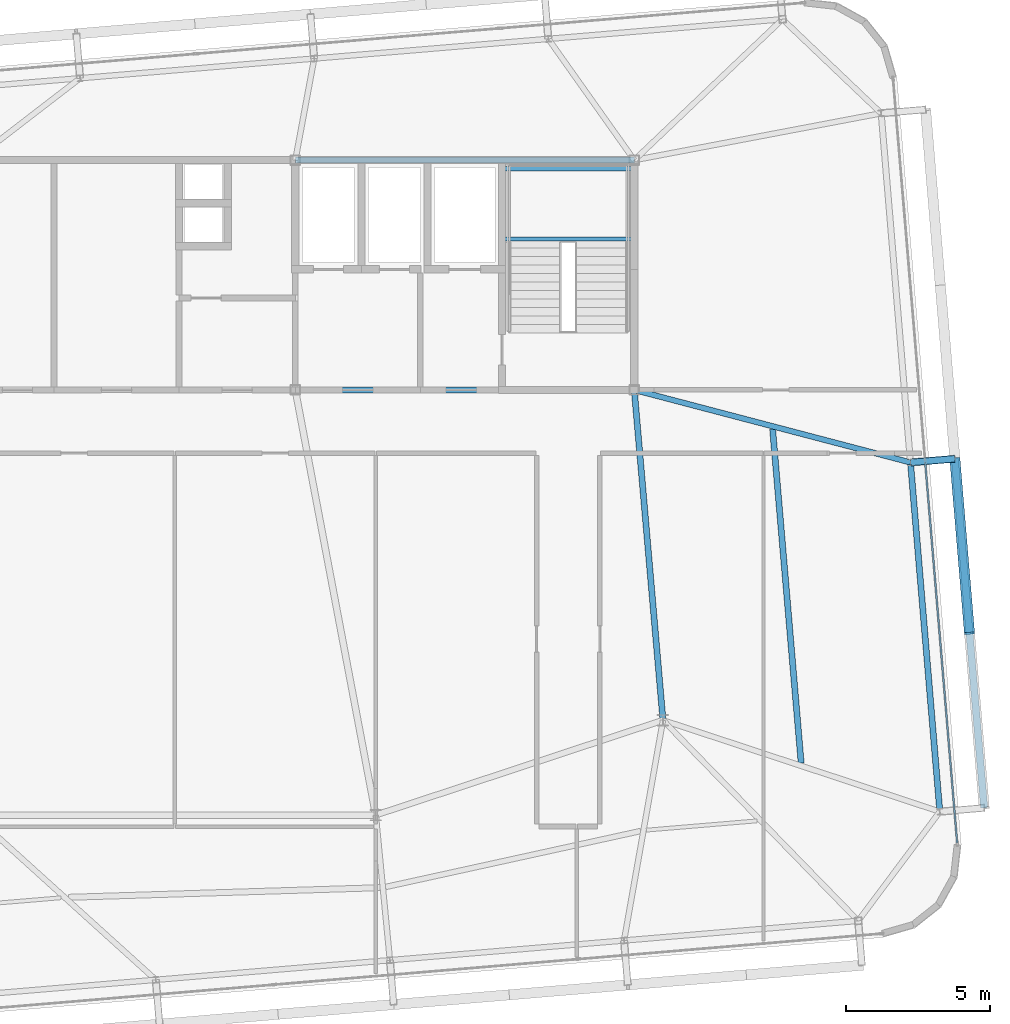
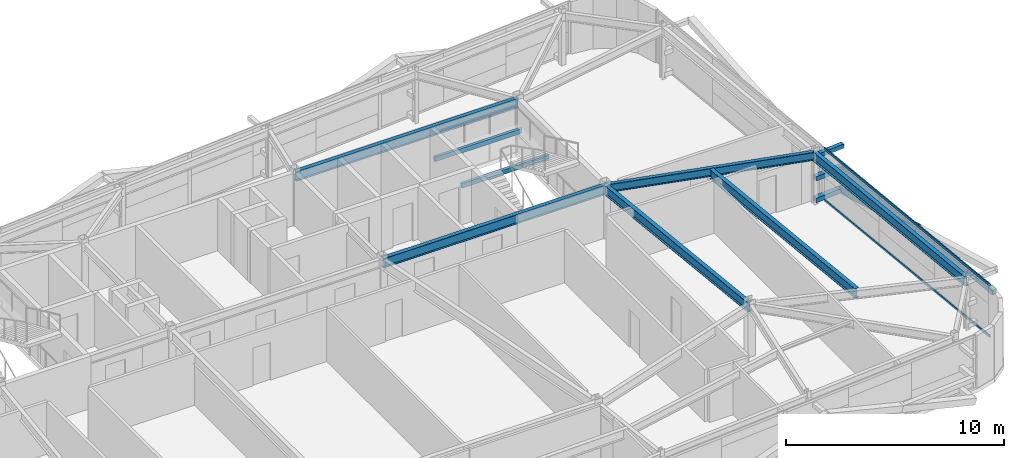
# One storey, part 19 of 39: 8 beams, 7 members, 1 element without a shape of its own.
"""IFC4 building model written with IfcOpenShell, lengths in metres."""

import ifcopenshell
import ifcopenshell.guid

model = None  # the IFC model being written
_history = None  # IfcOwnerHistory: only IFC2X3 demands one
_inside = {}  # id of a spatial element -> (the spatial element, [elements in it])
_under = {}  # id of a project, library or spatial element -> (it, [spatial elements below it])
_declared = {}  # id of a project -> (the project, [libraries it declares])
_typed = {}  # id of a type object -> (the type object, [elements of that type])
_made_of = {}  # id of a material, layer set ... -> (it, [elements and type objects made of it])


def new_model(schema):
    """Start an empty IFC model of exactly this schema.

    Asked for "IFC4X3", IfcOpenShell would pick the latest addendum, in which some entities
    have other attributes; the version numbers below select the first issue.
    IFC2X3 requires an IfcOwnerHistory on every rooted entity: one is made here for all.
    """
    global model, _history
    if schema == "IFC4X3":
        model = ifcopenshell.file(schema_version=(4, 3, 0, 0))
    else:
        model = ifcopenshell.file(schema=schema)
    _inside.clear()
    _under.clear()
    _declared.clear()
    _typed.clear()
    _made_of.clear()
    _history = None
    if model.schema == "IFC2X3":
        org = make("IfcOrganization", Name="unknown")
        user = make(
            "IfcPersonAndOrganization",
            ThePerson=make("IfcPerson", FamilyName="unknown"),
            TheOrganization=org,
        )
        app = make(
            "IfcApplication",
            ApplicationDeveloper=org,
            Version="unknown",
            ApplicationFullName="unknown",
            ApplicationIdentifier="unknown",
        )
        _history = make(
            "IfcOwnerHistory",
            OwningUser=user,
            OwningApplication=app,
            ChangeAction="ADDED",
            CreationDate=0,
        )
    return model


def make(cls, **values):
    """One entity of the class cls with the attributes given. An attribute that is None is left unset."""
    return model.create_entity(
        cls, **{name: value for name, value in values.items() if value is not None}
    )


def rooted(cls, **values):
    """An entity with a GlobalId (a new one), such as an element, a storey or a relation."""
    return make(cls, GlobalId=ifcopenshell.guid.new(), OwnerHistory=_history, **values)


def si_unit(unit_type, name, prefix=None):
    """IfcSIUnit, for example si_unit("LENGTHUNIT", "METRE", prefix="MILLI")."""
    return make("IfcSIUnit", UnitType=unit_type, Prefix=prefix, Name=name)


def assignment(units):
    """IfcUnitAssignment: the units of a project."""
    return None if units is None else make("IfcUnitAssignment", Units=units)


def point(xyz):
    """IfcCartesianPoint."""
    return None if xyz is None else make("IfcCartesianPoint", Coordinates=xyz)


def direction(xyz):
    """IfcDirection."""
    return None if xyz is None else make("IfcDirection", DirectionRatios=xyz)


def frame(location, z_axis=None, x_axis=None):
    """IfcAxis2Placement3D, a coordinate frame: its origin and axes. An axis left out is left unset."""
    return make(
        "IfcAxis2Placement3D",
        Location=point(location),
        Axis=direction(z_axis),
        RefDirection=direction(x_axis),
    )


def frame_2d(location, x_axis=None):
    """IfcAxis2Placement2D, a coordinate frame in the plane: its origin and x axis."""
    return make(
        "IfcAxis2Placement2D", Location=point(location), RefDirection=direction(x_axis)
    )


def origin():
    """The frame at (0, 0, 0) with its axes left unset."""
    return frame((0.0, 0.0, 0.0))


def origin_2d():
    """The frame at (0, 0) in the plane with its x axis left unset."""
    return frame_2d((0.0, 0.0))


def place(relative_to, where):
    """IfcLocalPlacement: puts the frame where relative to a parent placement (None: the world)."""
    return make(
        "IfcLocalPlacement", PlacementRelTo=relative_to, RelativePlacement=where
    )


def context(
    kind, dimensions, precision=None, world=None, true_north=None, identifier=None
):
    """IfcGeometricRepresentationContext, for example the 3D "Model" context."""
    return make(
        "IfcGeometricRepresentationContext",
        ContextIdentifier=identifier,
        ContextType=kind,
        CoordinateSpaceDimension=dimensions,
        Precision=precision,
        WorldCoordinateSystem=world,
        TrueNorth=true_north,
    )


def subcontext(parent, identifier, kind, view, scale=None):
    """IfcGeometricRepresentationSubContext, for example "Body" below "Model"."""
    return make(
        "IfcGeometricRepresentationSubContext",
        ContextIdentifier=identifier,
        ContextType=kind,
        ParentContext=parent,
        TargetScale=scale,
        TargetView=view,
    )


def project(units=None, contexts=None):
    """IfcProject with its units and contexts."""
    return rooted(
        "IfcProject",
        Name="project",
        RepresentationContexts=contexts,
        UnitsInContext=assignment(units),
    )


def spatial(cls, under=None, at=None, **own):
    """A site, building, storey or space (cls), placed at a placement, below another one or the project."""
    s = rooted(cls, ObjectPlacement=at, **own)
    if under is not None:
        _under.setdefault(under.id(), (under, []))[1].append(s)
    return s


def profile(cls, at=None, kind="AREA", **sizes):
    """A parametric profile (cls). Its sizes go by their IFC names, for example OverallWidth=200.0."""
    return make(cls, ProfileType=kind, Position=at, **sizes)


def hollow_rectangle(**sizes):
    """IfcRectangleHollowProfileDef."""
    return profile("IfcRectangleHollowProfileDef", **sizes)


def i_section(**sizes):
    """IfcIShapeProfileDef."""
    return profile("IfcIShapeProfileDef", **sizes)


def extrude(swept, where, along, depth):
    """IfcExtrudedAreaSolid: the profile swept, set in the frame where, extruded along a direction by depth."""
    return make(
        "IfcExtrudedAreaSolid",
        SweptArea=swept,
        Position=where,
        ExtrudedDirection=direction(along),
        Depth=depth,
    )


def shape(context_of_items, identifier, shape_type, items):
    """IfcShapeRepresentation: the items that make up one representation, for example the "Body"."""
    return make(
        "IfcShapeRepresentation",
        ContextOfItems=context_of_items,
        RepresentationIdentifier=identifier,
        RepresentationType=shape_type,
        Items=items,
    )


def source(mapping_origin, context_of_items, identifier, shape_type, items):
    """IfcRepresentationMap: a shape defined once, which mapped items show again and again."""
    return make(
        "IfcRepresentationMap",
        MappingOrigin=mapping_origin,
        MappedRepresentation=shape(context_of_items, identifier, shape_type, items),
    )


def transform(
    local_origin,
    x_axis=None,
    y_axis=None,
    z_axis=None,
    scale=None,
    scale2=None,
    scale3=None,
    uniform=True,
):
    """IfcCartesianTransformationOperator3D, or its non-uniform kind. x_axis, y_axis, z_axis: its Axis1, 2, 3."""
    if uniform:
        return make(
            "IfcCartesianTransformationOperator3D",
            Axis1=direction(x_axis),
            Axis2=direction(y_axis),
            LocalOrigin=point(local_origin),
            Scale=scale,
            Axis3=direction(z_axis),
        )
    return make(
        "IfcCartesianTransformationOperator3DnonUniform",
        Axis1=direction(x_axis),
        Axis2=direction(y_axis),
        LocalOrigin=point(local_origin),
        Scale=scale,
        Axis3=direction(z_axis),
        Scale2=scale2,
        Scale3=scale3,
    )


def mapped(mapping_source, mapping_target):
    """IfcMappedItem: shows the shape of a source again, moved by a transform."""
    return make(
        "IfcMappedItem", MappingSource=mapping_source, MappingTarget=mapping_target
    )


def material(Name=None, Category=None):
    """IfcMaterial."""
    return make("IfcMaterial", Name=Name, Category=Category)


def layer(
    of_material, thickness, ventilated=None, Name=None, Category=None, Priority=None
):
    """IfcMaterialLayer: one layer of a wall or slab, of a material (None: an air gap)."""
    return make(
        "IfcMaterialLayer",
        Material=of_material,
        LayerThickness=thickness,
        IsVentilated=ventilated,
        Name=Name,
        Category=Category,
        Priority=Priority,
    )


def layer_set(layers, Name=None):
    """IfcMaterialLayerSet."""
    return make("IfcMaterialLayerSet", MaterialLayers=layers, LayerSetName=Name)


def material_profile(
    of_material, cross_section, Name=None, Category=None, Priority=None
):
    """IfcMaterialProfile: a cross section and its material."""
    return make(
        "IfcMaterialProfile",
        Name=Name,
        Material=of_material,
        Profile=cross_section,
        Priority=Priority,
        Category=Category,
    )


def profile_set(profiles, Name=None, composite=None):
    """IfcMaterialProfileSet."""
    return make(
        "IfcMaterialProfileSet",
        Name=Name,
        MaterialProfiles=profiles,
        CompositeProfile=composite,
    )


def made_of(thing, what):
    """Note that an element or type object is made of a material, layer set ...; save() writes the relation."""
    if what is not None:
        _made_of.setdefault(what.id(), (what, []))[1].append(thing)
    return thing


def type_object(cls, material=None, **own):
    """A type object (cls), such as IfcWallType, which elements share."""
    return made_of(rooted(cls, **own), material)


def element(
    cls,
    number,
    at=None,
    inside=None,
    cuts=None,
    type_object=None,
    material=None,
    context=None,
    identifier="Body",
    shape_type=None,
    held_by="IfcProductDefinitionShape",
    body=None,
    shapes=None,
    **own,
):
    """One element of the class cls, such as IfcWall. Its Tag is "e" and its number.

    at: its placement. inside: the storey or other place that contains it. cuts: it is an
    opening in that element (IfcRelVoidsElement). A single representation is given by context,
    identifier, shape_type and body (its items); several are given by shapes. held_by: the class
    of the entity that holds the representations. save() writes the other relations.
    """
    e = rooted(cls, Tag="e%d" % number, ObjectPlacement=at, **own)
    if body is not None:
        shapes = [shape(context, identifier, shape_type, body)]
    if shapes is not None:
        e.Representation = make(held_by, Representations=shapes)
    if inside is not None:
        _inside.setdefault(inside.id(), (inside, []))[1].append(e)
    if cuts is not None:
        rooted(
            "IfcRelVoidsElement", RelatingBuildingElement=cuts, RelatedOpeningElement=e
        )
    if type_object is not None:
        _typed.setdefault(type_object.id(), (type_object, []))[1].append(e)
    return made_of(e, material)


def aggregate(whole, parts):
    """IfcRelAggregates: a whole, such as a stair, and the parts it consists of."""
    return rooted("IfcRelAggregates", RelatingObject=whole, RelatedObjects=parts)


def save(model, path):
    """Write the relations noted so far, then the file.

    IfcRelAggregates (storeys below a building ...), IfcRelContainedInSpatialStructure (elements
    in a storey), IfcRelDefinesByType, IfcRelAssociatesMaterial and IfcRelDeclares: one each for
    every whole, place, type object, material and project.
    """
    for whole, parts in _under.values():
        aggregate(whole, parts)
    for where, things in _inside.values():
        rooted(
            "IfcRelContainedInSpatialStructure",
            RelatedElements=things,
            RelatingStructure=where,
        )
    for kind, things in _typed.values():
        rooted("IfcRelDefinesByType", RelatedObjects=things, RelatingType=kind)
    for what, things in _made_of.values():
        rooted("IfcRelAssociatesMaterial", RelatedObjects=things, RelatingMaterial=what)
    for by, libraries in _declared.values():
        rooted("IfcRelDeclares", RelatingContext=by, RelatedDefinitions=libraries)
    model.write(path)


model = new_model("IFC4")

# Units and contexts
model_context = context("Model", 3, precision=1e-05, world=origin(), true_north=direction((0.0, 1.0)))
body_context = subcontext(model_context, "Body", "Model", "MODEL_VIEW")
ifc_project = project(units=[si_unit("LENGTHUNIT", "METRE"), si_unit("AREAUNIT", "SQUARE_METRE"), si_unit("VOLUMEUNIT", "CUBIC_METRE"), si_unit("PLANEANGLEUNIT", "RADIAN"), si_unit("MASSUNIT", "GRAM", prefix="KILO")], contexts=[model_context])

# Site, building, storey
site_placement = place(None, origin())
site = spatial("IfcSite", under=ifc_project, at=site_placement, CompositionType="ELEMENT")
building_placement = place(site_placement, origin())
building = spatial("IfcBuilding", under=site, at=building_placement, Name="Taldren Reach Tower", CompositionType="ELEMENT")
storey_placement = place(building_placement, frame((0.0, 0.0, 175.699951171875)))
storey = spatial("IfcBuildingStorey", under=building, at=storey_placement, Name="L53", CompositionType="ELEMENT", Elevation=175.699951171875)

# Beams
ifc_material_1 = material(Name="Steel Gr 350 (350PLUS)", Category="steel")
ifc_material_profile_1 = material_profile(ifc_material_1, i_section(OverallWidth=0.208984375, OverallDepth=0.532958984375, WebThickness=0.01025390625, FlangeThickness=0.015625, at=origin_2d()), Name="530UB92.4")
ifc_profile_set_1 = profile_set([ifc_material_profile_1], Name="Steel Gr 350 (350PLUS)")
beam_type_1 = type_object("IfcBeamType", Name="BM-UB530A", PredefinedType="BEAM", material=ifc_profile_set_1)
shared_shape_1 = source(origin(), body_context, "Body", "SweptSolid", [
    extrude(i_section(OverallWidth=0.208984375, OverallDepth=0.532958984375, WebThickness=0.01025390625, FlangeThickness=0.015625, at=origin_2d()), origin(), (0.0, 0.0, 1.0), 11.800048828125),
])
for number, where, z_axis, x_axis, name in (
    (1, (39.199951171875, 24.0, 2.66357421875), (1.0, 0.0, 0.0), (0.0, 1.0, 0.0), "Core-spine girder L53-SP03"),
    (2, (39.199951171875, 32.0, 2.66357421875), (1.0, 0.0, 0.0), (0.0, 1.0, 0.0), "Core-spine girder L53-SP06"),
):
    element("IfcBeam", number, at=place(storey_placement, frame(where, z_axis=z_axis, x_axis=x_axis)), inside=storey, type_object=beam_type_1, Name=name, PredefinedType="BEAM", context=body_context, shape_type="MappedRepresentation", body=[
        mapped(shared_shape_1, transform((0.0, 0.0, 0.0), scale=1.0)),
    ])
shared_shape_2 = source(origin(), body_context, "Body", "SweptSolid", [
    extrude(i_section(OverallWidth=0.208984375, OverallDepth=0.532958984375, WebThickness=0.01025390625, FlangeThickness=0.015625, at=origin_2d()), origin(), (0.0, 0.0, 1.0), 11.54345703125),
])
beam_1_placement = place(storey_placement, frame((52.0, 12.5, 2.66357421875), z_axis=(-0.086629616365, 0.996240588196, 0.0), x_axis=(-0.996240588196, -0.086629616365, 0.0)))
element("IfcBeam", 3, at=beam_1_placement, inside=storey, type_object=beam_type_1, Name="Core-spine girder L53-SP13", PredefinedType="BEAM", context=body_context, shape_type="MappedRepresentation", body=[
    mapped(shared_shape_2, transform((0.0, 0.0, 0.0), scale=1.0)),
])
ifc_material_profile_2 = material_profile(ifc_material_1, i_section(OverallWidth=0.208984375, OverallDepth=0.528076171875, WebThickness=0.009521484375, FlangeThickness=0.01318359375, at=origin_2d()), Name="530UB82.0")
ifc_profile_set_2 = profile_set([ifc_material_profile_2], Name="Steel Gr 350 (350PLUS)")
beam_type_2 = type_object("IfcBeamType", Name="SP-UB530B", PredefinedType="SPANDREL", material=ifc_profile_set_2)
shared_shape_3 = source(origin(), body_context, "Body", "SweptSolid", [
    extrude(i_section(OverallWidth=0.208984375, OverallDepth=0.528076171875, WebThickness=0.009521484375, FlangeThickness=0.01318359375, at=origin_2d()), origin(), (0.0, 0.0, 1.0), 12.199951171875),
])
beam_2_placement = place(storey_placement, frame((61.63818359375, 9.317626953125, 2.666015625), z_axis=(-0.083688038336, 0.996492003099, 0.0), x_axis=(-0.996492003099, -0.083688038336, 0.0)))
element("IfcBeam", 4, at=beam_2_placement, inside=storey, type_object=beam_type_2, Name="Perimeter spandrel B4 E1-E2 L53", PredefinedType="SPANDREL", context=body_context, shape_type="MappedRepresentation", body=[
    mapped(shared_shape_3, transform((0.0, 0.0, 0.0), scale=1.0)),
])
ifc_material_profile_3 = material_profile(ifc_material_1, i_section(OverallWidth=0.19091796875, OverallDepth=0.4599609375, WebThickness=0.010009765625, FlangeThickness=0.01611328125, at=origin_2d()), Name="460UB82.1")
ifc_profile_set_3 = profile_set([ifc_material_profile_3], Name="Steel Gr 350 (350PLUS)")
beam_type_3 = type_object("IfcBeamType", Name="BM-UB460A", PredefinedType="BEAM", material=ifc_profile_set_3)
shared_shape_4 = source(origin(), body_context, "Body", "SweptSolid", [
    extrude(i_section(OverallWidth=0.19091796875, OverallDepth=0.4599609375, WebThickness=0.010009765625, FlangeThickness=0.01611328125, at=origin_2d()), origin(), (0.0, 0.0, 1.0), 9.943115234375),
])
beam_3_placement = place(storey_placement, frame((51.0, 24.0, 2.699951171875), z_axis=(0.967215285987, -0.253957851923, 0.0), x_axis=(0.253957851923, 0.967215285987, 0.0)))
element("IfcBeam", 5, at=beam_3_placement, inside=storey, type_object=beam_type_3, Name="Primary floor girder B4-E2 L53", PredefinedType="BEAM", context=body_context, shape_type="MappedRepresentation", body=[
    mapped(shared_shape_4, transform((0.0, 0.0, 0.0), scale=1.0)),
])
shared_shape_5 = source(origin(), body_context, "Body", "SweptSolid", [
    extrude(i_section(OverallWidth=0.208984375, OverallDepth=0.532958984375, WebThickness=0.01025390625, FlangeThickness=0.015625, at=origin_2d()), origin(), (0.0, 0.0, 1.0), 11.66650390625),
])
beam_4_placement = place(storey_placement, frame((56.810302734375, 11.01220703125, 2.66357421875), z_axis=(-0.085128704566, 0.996369963246, 0.0), x_axis=(-0.996369963246, -0.085128704566, 0.0)))
element("IfcBeam", 6, at=beam_4_placement, inside=storey, type_object=beam_type_1, Name="Secondary floor beam B4 J7 L53", PredefinedType="BEAM", context=body_context, shape_type="MappedRepresentation", body=[
    mapped(shared_shape_5, transform((0.0, 0.0, 0.0), scale=1.0)),
])

# Members
ifc_material_2 = material(Name="Steel Gr 450 (C450L0)", Category="steel")
ifc_material_profile_4 = material_profile(ifc_material_2, hollow_rectangle(XDim=0.219970703125, YDim=0.219970703125, WallThickness=0.00830078125, at=origin_2d()), Name="220x220x8.2SHS")
ifc_profile_set_4 = profile_set([ifc_material_profile_4], Name="Steel Gr 450 (C450L0)")
member_type_1 = type_object("IfcMemberType", Name="MB-TIE219", PredefinedType="STRUT", material=ifc_profile_set_4)
shared_shape_6 = source(origin(), body_context, "Body", "SweptSolid", [
    extrude(hollow_rectangle(XDim=0.219970703125, YDim=0.219970703125, WallThickness=0.00830078125, at=origin_2d()), origin(), (0.0, 0.0, 1.0), 1.54541015625),
])
member_1_placement = place(storey_placement, frame((60.621826171875, 21.47509765625, 2.650146484375), z_axis=(0.99648887425, 0.083725285883, 0.0), x_axis=(-0.083725285883, 0.99648887425, 0.0)))
element("IfcMember", 7, at=member_1_placement, inside=storey, type_object=member_type_1, Name="Exoskeleton diaphragm tie strut B4-E2 L53", PredefinedType="STRUT", context=body_context, shape_type="MappedRepresentation", body=[
    mapped(shared_shape_6, transform((0.0, 0.0, 0.0), scale=1.0)),
])
ifc_material_3 = material(Name="Steel Gr 350 (C350L0)", Category="steel")
ifc_material_profile_5 = material_profile(ifc_material_3, hollow_rectangle(XDim=0.25, YDim=0.25, WallThickness=0.010009765625, at=origin_2d()), Name="250x250x10.0SHS")
ifc_profile_set_5 = profile_set([ifc_material_profile_5], Name="Steel Gr 350 (C350L0)")
member_type_2 = type_object("IfcMemberType", Name="MB-POST250", PredefinedType="POST", material=ifc_profile_set_5)
shared_shape_7 = source(origin(), body_context, "Body", "SweptSolid", [
    extrude(hollow_rectangle(XDim=0.25, YDim=0.25, WallThickness=0.010009765625, at=origin_2d()), origin(), (0.0, 0.0, 1.0), 12.199951171875),
])
member_2_placement = place(storey_placement, frame((63.1826171875, 9.447265625, 1.43505859375), z_axis=(-0.083668166953, 0.99649367175, 0.0), x_axis=(-0.99649367175, -0.083668166953, 0.0)))
element("IfcMember", 8, at=member_2_placement, inside=storey, type_object=member_type_2, Name="Exoskeleton mid-height ring chord B4-E1 L53", PredefinedType="POST", context=body_context, shape_type="MappedRepresentation", body=[
    mapped(shared_shape_7, transform((0.0, 0.0, 0.0), scale=1.0)),
])
shared_shape_8 = source(origin(), body_context, "Body", "SweptSolid", [
    extrude(hollow_rectangle(XDim=0.25, YDim=0.25, WallThickness=0.010009765625, at=origin_2d()), origin(), (0.0, 0.0, 1.0), 1.54541015625),
])
for number, where, z_axis, x_axis, name in (
    (9, (60.621826171875, 21.47509765625, 0.219970703125), (0.99648887425, 0.083725285883, 0.0), (-0.083725285883, 0.99648887425, 0.0), "Exoskeleton base diaphragm tie strut B4-E2 L53"),
    (10, (60.621826171875, 21.47509765625, 1.43505859375), (0.99648887425, 0.083725285883, 0.0), (-0.083725285883, 0.99648887425, 0.0), "Exoskeleton mid-tier diaphragm tie B4-E2 L53"),
):
    element("IfcMember", number, at=place(storey_placement, frame(where, z_axis=z_axis, x_axis=x_axis)), inside=storey, type_object=member_type_2, Name=name, PredefinedType="POST", context=body_context, shape_type="MappedRepresentation", body=[
        mapped(shared_shape_8, transform((0.0, 0.0, 0.0), scale=1.0)),
    ])
ifc_material_profile_6 = material_profile(ifc_material_2, hollow_rectangle(XDim=0.360107421875, YDim=0.360107421875, WallThickness=0.0126953125, at=origin_2d()), Name="360x360x12.7SHS")
ifc_profile_set_6 = profile_set([ifc_material_profile_6], Name="Steel Gr 450 (C450L0)")
member_type_3 = type_object("IfcMemberType", Name="MB-EXO356", PredefinedType="BRACE", material=ifc_profile_set_6)
shared_shape_9 = source(origin(), body_context, "Body", "SweptSolid", [
    extrude(hollow_rectangle(XDim=0.360107421875, YDim=0.360107421875, WallThickness=0.0126953125, at=origin_2d()), origin(), (0.0, 0.0, 1.0), 6.2197265625),
])
member_3_placement = place(storey_placement, frame((62.161865234375, 21.6044921875, 0.219970703125), z_axis=(0.082036577282, -0.977295072332, 0.195356959394), x_axis=(0.996495340012, 0.08364829547, 0.0)))
element("IfcMember", 11, at=member_3_placement, inside=storey, type_object=member_type_3, Name="Exoskeleton Diagrid Brace B4-E1 L53", PredefinedType="BRACE", context=body_context, shape_type="MappedRepresentation", body=[
    mapped(shared_shape_9, transform((0.0, 0.0, 0.0), scale=1.0)),
])

# Curtain wall, members
ifc_material_4 = material(Name="Aluminium and Low-E Glass Unitised System", Category="aluminium")
ifc_layer = layer(ifc_material_4, 0.159912109375)
ifc_layer_set = layer_set([ifc_layer], Name="Aluminium and Low-E Glass Unitised System")
curtain_wall_type = type_object("IfcCurtainWallType", Name="CW-SYS-5", PredefinedType="NOTDEFINED", material=ifc_layer_set)
curtain_wall_placement = place(storey_placement, origin())
curtain_wall = element("IfcCurtainWall", 12, at=curtain_wall_placement, inside=storey, type_object=curtain_wall_type, Name="Unitised curtain wall CW-L53-E", PredefinedType="NOTDEFINED")
ifc_material_5 = material(Name="Anodised Aluminium 6063-T6", Category="aluminium")
ifc_material_profile_7 = material_profile(ifc_material_5, hollow_rectangle(XDim=0.06005859375, YDim=0.135009765625, WallThickness=0.00341796875, at=origin_2d()), Name="ALU-135x60x3.5RHS")
ifc_profile_set_7 = profile_set([ifc_material_profile_7], Name="Anodised Aluminium 6063-T6")
member_type_4 = type_object("IfcMemberType", Name="CW-TRN-150", PredefinedType="USERDEFINED", material=ifc_profile_set_7)
shared_shape_10 = source(origin(), body_context, "Body", "SweptSolid", [
    extrude(hollow_rectangle(XDim=0.06005859375, YDim=0.135009765625, WallThickness=0.00341796875, at=origin_2d()), origin(), (0.0, 0.0, 1.0), 13.295166015625),
])
member_4_placement = place(storey_placement, frame((62.240966796875, 8.234130859375, 0.030029296875), z_axis=(-0.083680700004, 0.996492619364, 0.0), x_axis=(-0.996492619364, -0.083680700004, 0.0)))
member_4 = element("IfcMember", 13, at=member_4_placement, type_object=member_type_4, Name="CW-5 transom 1.1", ObjectType="TRANSOM", PredefinedType="USERDEFINED", context=body_context, shape_type="MappedRepresentation", body=[
    mapped(shared_shape_10, transform((0.0, 0.0, 0.0), scale=1.0)),
])
member_5_placement = place(storey_placement, frame((62.240966796875, 8.234130859375, 2.900146484375), z_axis=(-0.083680700004, 0.996492619364, 0.0), x_axis=(-0.996492619364, -0.083680700004, 0.0)))
member_5 = element("IfcMember", 14, at=member_5_placement, type_object=member_type_4, Name="CW-5 transom 1.2", ObjectType="TRANSOM", PredefinedType="USERDEFINED", context=body_context, shape_type="MappedRepresentation", body=[
    mapped(shared_shape_10, transform((0.0, 0.0, 0.0), scale=1.0)),
])
aggregate(curtain_wall, [member_4, member_5])

# Beams
ifc_material_profile_8 = material_profile(ifc_material_3, hollow_rectangle(XDim=0.14990234375, YDim=0.25, WallThickness=0.009033203125, at=origin_2d()), Name="250x150x9.0RHS")
ifc_profile_set_8 = profile_set([ifc_material_profile_8], Name="Steel Gr 350 (C350L0)")
beam_type_4 = type_object("IfcBeamType", Name="LN-RHS250", PredefinedType="LINTEL", material=ifc_profile_set_8)
shared_shape_11 = source(origin(), body_context, "Body", "SweptSolid", [
    extrude(hollow_rectangle(XDim=0.14990234375, YDim=0.25, WallThickness=0.009033203125, at=origin_2d()), origin(), (0.0, 0.0, 1.0), 4.60009765625),
])
for number, where, z_axis, x_axis, name in (
    (15, (46.39990234375, 29.2548828125, 1.27001953125), (1.0, 0.0, 0.0), (0.0, 1.0, 0.0), "Stair half-landing support beam ST2-L53-1"),
    (16, (46.39990234375, 31.699951171875, 1.27001953125), (1.0, 0.0, 0.0), (0.0, 1.0, 0.0), "Stair half-landing support beam ST2-L53-2"),
):
    element("IfcBeam", number, at=place(storey_placement, frame(where, z_axis=z_axis, x_axis=x_axis)), inside=storey, type_object=beam_type_4, Name=name, PredefinedType="LINTEL", context=body_context, shape_type="MappedRepresentation", body=[
        mapped(shared_shape_11, transform((0.0, 0.0, 0.0), scale=1.0)),
    ])

save(model, "model.ifc")
